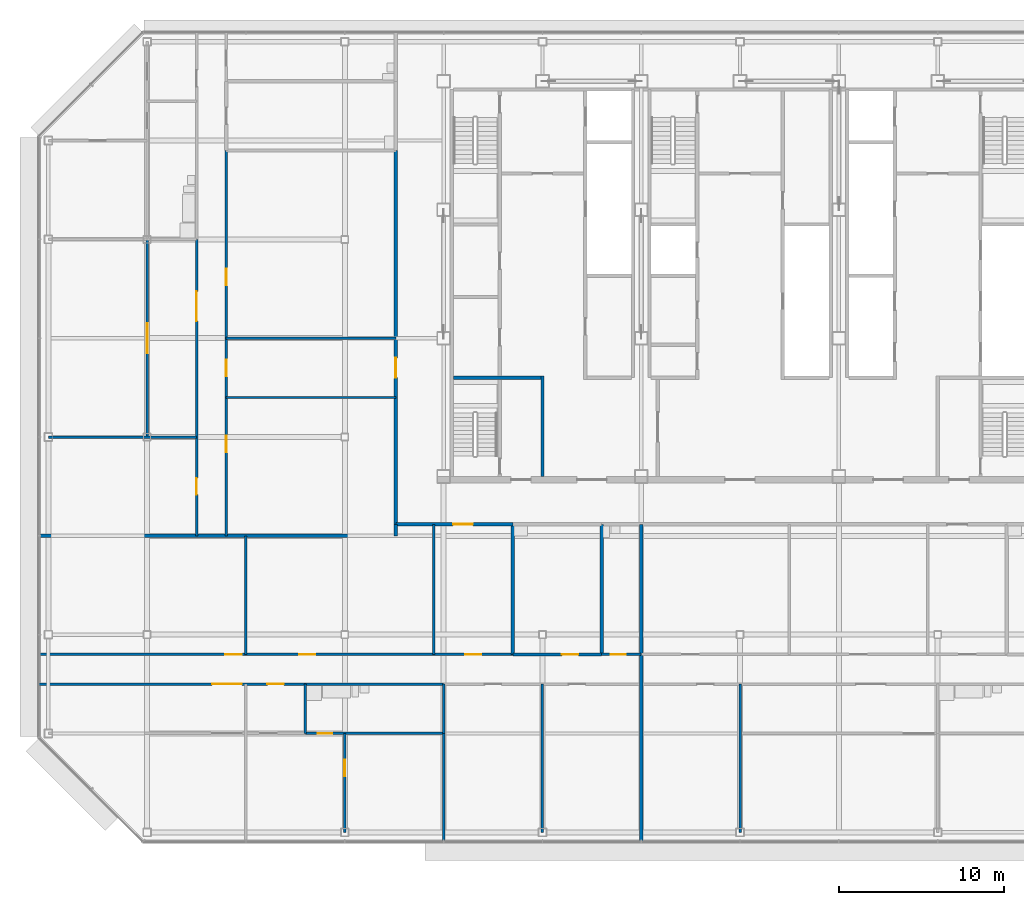
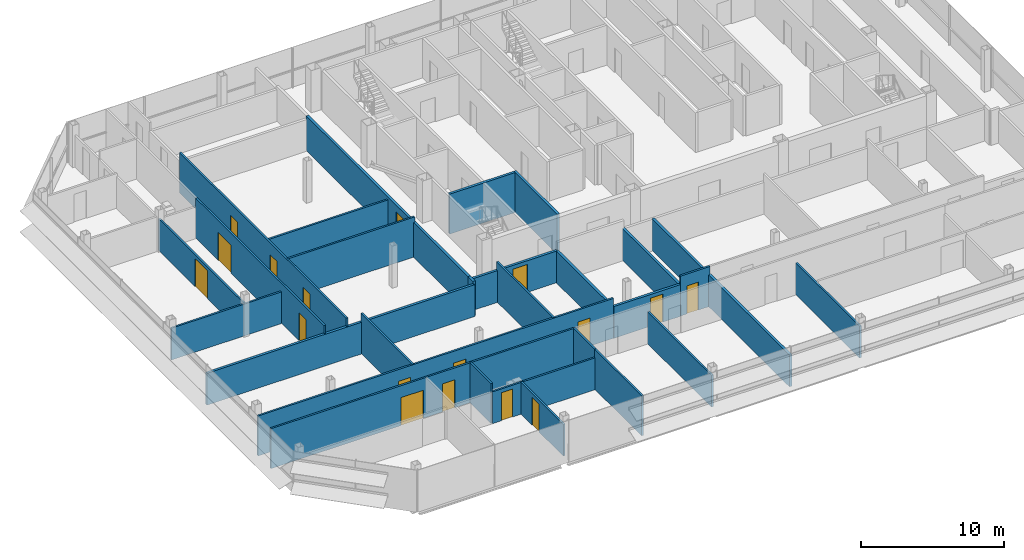
# One storey, part 21 of 27: 29 walls, 17 doors, 17 openings.
"""IFC4 building model written with IfcOpenShell, lengths in metres."""

from ifc_helpers import new_model, si_unit, direction, frame, frame_2d, origin, place, context, subcontext, project, spatial, rectangle, extrude, material, layer, layer_set, type_object, element, fill, save


model = new_model("IFC4")

# Units and contexts
model_context = context("Model", 3, precision=1e-05, world=origin(), true_north=direction((0.0, 1.0)))
body_context = subcontext(model_context, "Body", "Model", "MODEL_VIEW")
ifc_project = project(units=[si_unit("LENGTHUNIT", "METRE"), si_unit("AREAUNIT", "SQUARE_METRE"), si_unit("VOLUMEUNIT", "CUBIC_METRE"), si_unit("PLANEANGLEUNIT", "RADIAN"), si_unit("MASSUNIT", "GRAM", prefix="KILO")], contexts=[model_context])

# Site, building, storey
site_placement = place(None, origin())
site = spatial("IfcSite", under=ifc_project, at=site_placement, CompositionType="ELEMENT")
building_placement = place(site_placement, origin())
building = spatial("IfcBuilding", under=site, at=building_placement, Name="Sorahane Residences", CompositionType="ELEMENT")
storey_placement = place(building_placement, frame((0.0, 0.0, 316.0)))
storey = spatial("IfcBuildingStorey", under=building, at=storey_placement, Name="L75", CompositionType="ELEMENT", Elevation=316.0)

# Wall, opening, door
ifc_material_1 = material(Name="Concrete blockwork C20 wall", Category="masonry")
ifc_layer_1 = layer(ifc_material_1, 0.199951171875)
ifc_layer_set_1 = layer_set([ifc_layer_1], Name="Corridor wall 200 EI 120")
wall_type_1 = type_object("IfcWallType", Name="Corridor wall 200 EI 120", PredefinedType="SOLIDWALL", material=ifc_layer_set_1)
wall_1_placement = place(storey_placement, frame((3.10009765625, 18.699951171875, 0.0), z_axis=(0.0, 0.0, 1.0), x_axis=(0.0, 1.0, 0.0)))
wall_1 = element("IfcWall", 1, at=wall_1_placement, inside=storey, type_object=wall_type_1, Name="L75 corridor wall", PredefinedType="SOLIDWALL", context=body_context, shape_type="SweptSolid", body=[
    extrude(rectangle(XDim=22.699951171875, YDim=0.199951171875, at=frame_2d((11.35009765625, 0.0))), origin(), (0.0, 0.0, 1.0), 2.969970703125),
])
opening_1_placement = place(wall_1_placement, frame((8.89990234375, 0.0, 0.0)))
opening_1 = element("IfcOpeningElement", 2, at=opening_1_placement, cuts=wall_1, Name="Opening L75-40", PredefinedType="OPENING", context=body_context, shape_type="SweptSolid", body=[
    extrude(rectangle(XDim=1.199951171875, YDim=2.39990234375, at=frame_2d((0.60009765625, 1.199951171875))), frame((0.0, 0.10986328125, 0.0), z_axis=(0.0, -1.0, 0.0), x_axis=(1.0, 0.0, 0.0)), (0.0, 0.0, 1.0), 0.219970703125),
])
ifc_material_2 = material(Name="Timber veneered fire door", Category="wood")
door_type_1 = type_object("IfcDoorType", Name="Flat entrance door 1200x2400 FD60", OperationType="NOTDEFINED", PredefinedType="DOOR", material=ifc_material_2)
door_1_placement = place(opening_1_placement, origin())
door_1 = element("IfcDoor", 3, at=door_1_placement, inside=storey, type_object=door_type_1, Name="Flat entrance door L75-40", OperationType="SINGLE_SWING_RIGHT", OverallHeight=2.39990234375, OverallWidth=1.199951171875, PredefinedType="DOOR", context=body_context, shape_type="SweptSolid", body=[
    extrude(rectangle(XDim=1.199951171875, YDim=2.39990234375, at=frame_2d((0.60009765625, 1.199951171875))), frame((0.0, 0.02490234375, 0.0), z_axis=(0.0, -1.0, 0.0), x_axis=(1.0, 0.0, 0.0)), (0.0, 0.0, 1.0), 0.050048828125),
])
fill(opening_1, door_1)

wall_2_placement = place(storey_placement, frame((3.10009765625, 18.699951171875, 0.0), z_axis=(0.0, 0.0, 1.0), x_axis=(1.0, 0.0, 0.0)))
wall_2 = element("IfcWall", 4, at=wall_2_placement, inside=storey, type_object=wall_type_1, Name="L75 corridor wall", PredefinedType="SOLIDWALL", context=body_context, shape_type="SweptSolid", body=[
    extrude(rectangle(XDim=7.099853515625, YDim=0.199951171875, at=frame_2d((3.5498046875, 0.0))), origin(), (0.0, 0.0, 1.0), 2.719970703125),
])
opening_2_placement = place(wall_2_placement, frame((3.47998046875, 0.0, 0.0)))
opening_2 = element("IfcOpeningElement", 5, at=opening_2_placement, cuts=wall_2, Name="Opening L75-38", PredefinedType="OPENING", context=body_context, shape_type="SweptSolid", body=[
    extrude(rectangle(XDim=1.199951171875, YDim=2.39990234375, at=frame_2d((0.60009765625, 1.199951171875))), frame((0.0, 0.10986328125, 0.0), z_axis=(0.0, -1.0, 0.0), x_axis=(1.0, 0.0, 0.0)), (0.0, 0.0, 1.0), 0.219970703125),
])
door_2_placement = place(opening_2_placement, frame((1.199951171875, 0.0, 0.0), z_axis=(0.0, 0.0, 1.0), x_axis=(-1.0, 0.0, 0.0)))
door_2 = element("IfcDoor", 6, at=door_2_placement, inside=storey, type_object=door_type_1, Name="Flat entrance door L75-38", OperationType="SINGLE_SWING_RIGHT", OverallHeight=2.39990234375, OverallWidth=1.199951171875, PredefinedType="DOOR", context=body_context, shape_type="SweptSolid", body=[
    extrude(rectangle(XDim=1.199951171875, YDim=2.39990234375, at=frame_2d((0.60009765625, 1.199951171875))), frame((0.0, 0.02490234375, 0.0), z_axis=(0.0, -1.0, 0.0), x_axis=(1.0, 0.0, 0.0)), (0.0, 0.0, 1.0), 0.050048828125),
])
fill(opening_2, door_2)

# Walls
ifc_material_3 = material(Name="Concrete C30", Category="concrete")
ifc_layer_2 = layer(ifc_material_3, 0.199951171875)
ifc_layer_set_2 = layer_set([ifc_layer_2], Name="Front room wall 200 EI 120")
wall_type_2 = type_object("IfcWallType", Name="Front room wall 200 EI 120", PredefinedType="PARTITIONING", material=ifc_layer_set_2)
wall_3_placement = place(storey_placement, frame((12.0, 21.60009765625, 0.0), z_axis=(0.0, 0.0, 1.0), x_axis=(0.0, 1.0, 0.0)))
element("IfcWall", 7, at=wall_3_placement, inside=storey, type_object=wall_type_2, Name="L75 front room wall", PredefinedType="PARTITIONING", context=body_context, shape_type="SweptSolid", body=[
    extrude(rectangle(XDim=6.099853515625, YDim=0.199951171875, at=frame_2d((3.0498046875, 0.0))), origin(), (0.0, 0.0, 1.0), 3.419921875),
])
ifc_material_4 = material(Name="Concrete blockwork C20 wall", Category="masonry")
ifc_layer_3 = layer(ifc_material_4, 0.199951171875)
ifc_layer_set_3 = layer_set([ifc_layer_3], Name="Kitchen wall 200 EI 180")
wall_type_3 = type_object("IfcWallType", Name="Kitchen wall 200 EI 180", PredefinedType="SOLIDWALL", material=ifc_layer_set_3)
for number, where, z_axis, x_axis, name in (
    (8, (10.199951171875, 10.800048828125, 0.0), (0.0, 0.0, 1.0), (0.0, 1.0, 0.0), "L75 kitchen wall"),
    (9, (15.60009765625, 10.800048828125, 0.0), (0.0, 0.0, 1.0), (0.0, 1.0, 0.0), "L75 kitchen wall"),
):
    element("IfcWall", number, at=place(storey_placement, frame(where, z_axis=z_axis, x_axis=x_axis)), inside=storey, type_object=wall_type_3, Name=name, PredefinedType="SOLIDWALL", context=body_context, shape_type="SweptSolid", body=[
        extrude(rectangle(XDim=7.89990234375, YDim=0.199951171875, at=frame_2d((3.949951171875, 0.0))), origin(), (0.0, 0.0, 1.0), 2.719970703125),
    ])

# Wall, opening, door
wall_4_placement = place(storey_placement, frame((10.199951171875, 10.800048828125, 0.0), z_axis=(0.0, 0.0, 1.0), x_axis=(1.0, 0.0, 0.0)))
wall_4 = element("IfcWall", 10, at=wall_4_placement, inside=storey, type_object=wall_type_3, Name="L75 kitchen wall", PredefinedType="SOLIDWALL", context=body_context, shape_type="SweptSolid", body=[
    extrude(rectangle(XDim=5.400146484375, YDim=0.199951171875, at=frame_2d((2.7001953125, 0.0))), origin(), (0.0, 0.0, 1.0), 2.719970703125),
])
opening_3_placement = place(wall_4_placement, frame((2.97998046875, 0.0, 0.0)))
opening_3 = element("IfcOpeningElement", 11, at=opening_3_placement, cuts=wall_4, Name="Opening L75-04", PredefinedType="OPENING", context=body_context, shape_type="SweptSolid", body=[
    extrude(rectangle(XDim=1.0, YDim=2.39990234375, at=frame_2d((0.5, 1.199951171875))), frame((0.0, 0.10986328125, 0.0), z_axis=(0.0, -1.0, 0.0), x_axis=(1.0, 0.0, 0.0)), (0.0, 0.0, 1.0), 0.219970703125),
])
ifc_material_5 = material(Name="Steel", Category="steel")
door_type_2 = type_object("IfcDoorType", Name="Kitchen door 1000x2400 FD120", OperationType="NOTDEFINED", PredefinedType="DOOR", material=ifc_material_5)
door_3_placement = place(opening_3_placement, origin())
door_3 = element("IfcDoor", 12, at=door_3_placement, inside=storey, type_object=door_type_2, Name="Kitchen door L75-04", OperationType="SINGLE_SWING_RIGHT", OverallHeight=2.39990234375, OverallWidth=1.0, PredefinedType="DOOR", context=body_context, shape_type="SweptSolid", body=[
    extrude(rectangle(XDim=1.0, YDim=2.39990234375, at=frame_2d((0.5, 1.199951171875))), frame((0.0, 0.02490234375, 0.0), z_axis=(0.0, -1.0, 0.0), x_axis=(1.0, 0.0, 0.0)), (0.0, 0.0, 1.0), 0.050048828125),
])
fill(opening_3, door_3)

ifc_material_6 = material(Name="Gypsum board partition on steel studs", Category="steel")
ifc_layer_4 = layer(ifc_material_6, 0.14990234375)
ifc_layer_set_4 = layer_set([ifc_layer_4], Name="Partition 150 EI 90")
wall_type_4 = type_object("IfcWallType", Name="Partition 150 EI 90", PredefinedType="PARTITIONING", material=ifc_layer_set_4)
wall_5_placement = place(storey_placement, frame((-12.0, 24.0, 0.0), z_axis=(0.0, 0.0, 1.0), x_axis=(0.0, 1.0, 0.0)))
wall_5 = element("IfcWall", 13, at=wall_5_placement, inside=storey, type_object=wall_type_4, Name="L75 partition", PredefinedType="PARTITIONING", context=body_context, shape_type="SweptSolid", body=[
    extrude(rectangle(XDim=12.0, YDim=0.14990234375, at=frame_2d((6.0, 0.0))), origin(), (0.0, 0.0, 1.0), 2.719970703125),
])
opening_4_placement = place(wall_5_placement, frame((5.10009765625, 0.0, 0.0)))
opening_4 = element("IfcOpeningElement", 14, at=opening_4_placement, cuts=wall_5, Name="Opening L75-34", PredefinedType="OPENING", context=body_context, shape_type="SweptSolid", body=[
    extrude(rectangle(XDim=1.800048828125, YDim=2.39990234375, at=frame_2d((0.89990234375, 1.199951171875))), frame((0.0, 0.0849609375, 0.0), z_axis=(0.0, -1.0, 0.0), x_axis=(1.0, 0.0, 0.0)), (0.0, 0.0, 1.0), 0.169921875),
])
ifc_material_7 = material(Name="Timber veneered fire door", Category="wood")
door_type_3 = type_object("IfcDoorType", Name="Double door 1800x2400 FD30", OperationType="NOTDEFINED", PredefinedType="DOOR", material=ifc_material_7)
door_4_placement = place(opening_4_placement, origin())
door_4 = element("IfcDoor", 15, at=door_4_placement, inside=storey, type_object=door_type_3, Name="Double door L75-34", OperationType="SINGLE_SWING_RIGHT", OverallHeight=2.39990234375, OverallWidth=1.800048828125, PredefinedType="DOOR", context=body_context, shape_type="SweptSolid", body=[
    extrude(rectangle(XDim=1.800048828125, YDim=2.39990234375, at=frame_2d((0.89990234375, 1.199951171875))), frame((0.0, 0.02490234375, 0.0), z_axis=(0.0, -1.0, 0.0), x_axis=(1.0, 0.0, 0.0)), (0.0, 0.0, 1.0), 0.050048828125),
])
fill(opening_4, door_4)

# Wall
wall_6_placement = place(storey_placement, frame((-6.0, 10.800048828125, 0.0), z_axis=(0.0, 0.0, 1.0), x_axis=(0.0, 1.0, 0.0)))
element("IfcWall", 16, at=wall_6_placement, inside=storey, type_object=wall_type_4, Name="L75 partition", PredefinedType="PARTITIONING", context=body_context, shape_type="SweptSolid", body=[
    extrude(rectangle(XDim=7.199951171875, YDim=0.14990234375, at=frame_2d((3.60009765625, 0.0))), origin(), (0.0, 0.0, 1.0), 3.419921875),
])

# Wall, openings, doors
wall_7_placement = place(storey_placement, frame((-7.199951171875, 18.0, 0.0), z_axis=(0.0, 0.0, 1.0), x_axis=(0.0, 1.0, 0.0)))
wall_7 = element("IfcWall", 17, at=wall_7_placement, inside=storey, type_object=wall_type_4, Name="L75 partition", PredefinedType="PARTITIONING", context=body_context, shape_type="SweptSolid", body=[
    extrude(rectangle(XDim=23.39990234375, YDim=0.14990234375, at=frame_2d((11.699951171875, 0.0))), origin(), (0.0, 0.0, 1.0), 3.419921875),
])
opening_5_placement = place(wall_7_placement, frame((9.699951171875, 0.0, 0.0)))
opening_5 = element("IfcOpeningElement", 18, at=opening_5_placement, cuts=wall_7, Name="Opening L75-26", PredefinedType="OPENING", context=body_context, shape_type="SweptSolid", body=[
    extrude(rectangle(XDim=1.0, YDim=2.39990234375, at=frame_2d((0.5, 1.199951171875))), frame((0.0, 0.0849609375, 0.0), z_axis=(0.0, -1.0, 0.0), x_axis=(1.0, 0.0, 0.0)), (0.0, 0.0, 1.0), 0.169921875),
])
opening_6_placement = place(wall_7_placement, frame((5.080078125, 0.0, 0.0)))
opening_6 = element("IfcOpeningElement", 19, at=opening_6_placement, cuts=wall_7, Name="Opening L75-27", PredefinedType="OPENING", context=body_context, shape_type="SweptSolid", body=[
    extrude(rectangle(XDim=1.0, YDim=2.39990234375, at=frame_2d((0.5, 1.199951171875))), frame((0.0, 0.0849609375, 0.0), z_axis=(0.0, -1.0, 0.0), x_axis=(1.0, 0.0, 0.0)), (0.0, 0.0, 1.0), 0.169921875),
])
opening_7_placement = place(wall_7_placement, frame((15.219970703125, 0.0, 0.0)))
opening_7 = element("IfcOpeningElement", 20, at=opening_7_placement, cuts=wall_7, Name="Opening L75-28", PredefinedType="OPENING", context=body_context, shape_type="SweptSolid", body=[
    extrude(rectangle(XDim=1.0, YDim=2.39990234375, at=frame_2d((0.5, 1.199951171875))), frame((0.0, 0.0849609375, 0.0), z_axis=(0.0, -1.0, 0.0), x_axis=(1.0, 0.0, 0.0)), (0.0, 0.0, 1.0), 0.169921875),
])
ifc_material_8 = material(Name="Timber veneered fire door", Category="wood")
door_type_4 = type_object("IfcDoorType", Name="Room door 1000x2400 FD30", OperationType="NOTDEFINED", PredefinedType="DOOR", material=ifc_material_8)
door_5_placement = place(opening_5_placement, origin())
door_5 = element("IfcDoor", 21, at=door_5_placement, inside=storey, type_object=door_type_4, Name="Room door L75-26", OperationType="SINGLE_SWING_RIGHT", OverallHeight=2.39990234375, OverallWidth=1.0, PredefinedType="DOOR", context=body_context, shape_type="SweptSolid", body=[
    extrude(rectangle(XDim=1.0, YDim=2.39990234375, at=frame_2d((0.5, 1.199951171875))), frame((0.0, 0.02490234375, 0.0), z_axis=(0.0, -1.0, 0.0), x_axis=(1.0, 0.0, 0.0)), (0.0, 0.0, 1.0), 0.050048828125),
])
fill(opening_5, door_5)
door_6_placement = place(opening_6_placement, frame((1.0, 0.0, 0.0), z_axis=(0.0, 0.0, 1.0), x_axis=(-1.0, 0.0, 0.0)))
door_6 = element("IfcDoor", 22, at=door_6_placement, inside=storey, type_object=door_type_4, Name="Room door L75-27", OperationType="SINGLE_SWING_RIGHT", OverallHeight=2.39990234375, OverallWidth=1.0, PredefinedType="DOOR", context=body_context, shape_type="SweptSolid", body=[
    extrude(rectangle(XDim=1.0, YDim=2.39990234375, at=frame_2d((0.5, 1.199951171875))), frame((0.0, 0.02490234375, 0.0), z_axis=(0.0, -1.0, 0.0), x_axis=(1.0, 0.0, 0.0)), (0.0, 0.0, 1.0), 0.050048828125),
])
fill(opening_6, door_6)
door_7_placement = place(opening_7_placement, frame((1.0, 0.0, 0.0), z_axis=(0.0, 0.0, 1.0), x_axis=(-1.0, 0.0, 0.0)))
door_7 = element("IfcDoor", 23, at=door_7_placement, inside=storey, type_object=door_type_4, Name="Room door L75-28", OperationType="SINGLE_SWING_LEFT", OverallHeight=2.39990234375, OverallWidth=1.0, PredefinedType="DOOR", context=body_context, shape_type="SweptSolid", body=[
    extrude(rectangle(XDim=1.0, YDim=2.39990234375, at=frame_2d((0.5, 1.199951171875))), frame((0.0, 0.02490234375, 0.0), z_axis=(0.0, -1.0, 0.0), x_axis=(1.0, 0.0, 0.0)), (0.0, 0.0, 1.0), 0.050048828125),
])
fill(opening_7, door_7)

wall_8_placement = place(storey_placement, frame((-9.0, 18.0, 0.0), z_axis=(0.0, 0.0, 1.0), x_axis=(0.0, 1.0, 0.0)))
wall_8 = element("IfcWall", 24, at=wall_8_placement, inside=storey, type_object=wall_type_4, Name="L75 partition", PredefinedType="PARTITIONING", context=body_context, shape_type="SweptSolid", body=[
    extrude(rectangle(XDim=18.0, YDim=0.14990234375, at=frame_2d((9.0, 0.0))), origin(), (0.0, 0.0, 1.0), 3.419921875),
])
opening_8_placement = place(wall_8_placement, frame((2.5, 0.0, 0.0)))
opening_8 = element("IfcOpeningElement", 25, at=opening_8_placement, cuts=wall_8, Name="Opening L75-31", PredefinedType="OPENING", context=body_context, shape_type="SweptSolid", body=[
    extrude(rectangle(XDim=1.0, YDim=2.39990234375, at=frame_2d((0.5, 1.199951171875))), frame((0.0, 0.0849609375, 0.0), z_axis=(0.0, -1.0, 0.0), x_axis=(1.0, 0.0, 0.0)), (0.0, 0.0, 1.0), 0.169921875),
])
opening_9_placement = place(wall_8_placement, frame((13.0400390625, 0.0, 0.0)))
opening_9 = element("IfcOpeningElement", 26, at=opening_9_placement, cuts=wall_8, Name="Opening L75-32", PredefinedType="OPENING", context=body_context, shape_type="SweptSolid", body=[
    extrude(rectangle(XDim=1.800048828125, YDim=2.39990234375, at=frame_2d((0.89990234375, 1.199951171875))), frame((0.0, 0.0849609375, 0.0), z_axis=(0.0, -1.0, 0.0), x_axis=(1.0, 0.0, 0.0)), (0.0, 0.0, 1.0), 0.169921875),
])
door_8_placement = place(opening_9_placement, origin())
door_8 = element("IfcDoor", 27, at=door_8_placement, inside=storey, type_object=door_type_3, Name="Double door L75-32", OperationType="SINGLE_SWING_RIGHT", OverallHeight=2.39990234375, OverallWidth=1.800048828125, PredefinedType="DOOR", context=body_context, shape_type="SweptSolid", body=[
    extrude(rectangle(XDim=1.800048828125, YDim=2.39990234375, at=frame_2d((0.89990234375, 1.199951171875))), frame((0.0, 0.02490234375, 0.0), z_axis=(0.0, -1.0, 0.0), x_axis=(1.0, 0.0, 0.0)), (0.0, 0.0, 1.0), 0.050048828125),
])
fill(opening_9, door_8)
door_9_placement = place(opening_8_placement, origin())
door_9 = element("IfcDoor", 28, at=door_9_placement, inside=storey, type_object=door_type_4, Name="Room door L75-31", OperationType="SINGLE_SWING_LEFT", OverallHeight=2.39990234375, OverallWidth=1.0, PredefinedType="DOOR", context=body_context, shape_type="SweptSolid", body=[
    extrude(rectangle(XDim=1.0, YDim=2.39990234375, at=frame_2d((0.5, 1.199951171875))), frame((0.0, 0.02490234375, 0.0), z_axis=(0.0, -1.0, 0.0), x_axis=(1.0, 0.0, 0.0)), (0.0, 0.0, 1.0), 0.050048828125),
])
fill(opening_8, door_9)

# Wall, opening, door
wall_9_placement = place(storey_placement, frame((0.0, 0.0, 0.0), z_axis=(0.0, 0.0, 1.0), x_axis=(0.0, 1.0, 0.0)))
wall_9 = element("IfcWall", 29, at=wall_9_placement, inside=storey, type_object=wall_type_4, Name="L75 partition", PredefinedType="PARTITIONING", context=body_context, shape_type="SweptSolid", body=[
    extrude(rectangle(XDim=6.0, YDim=0.14990234375, at=frame_2d((3.0, 0.0))), origin(), (0.0, 0.0, 1.0), 2.719970703125),
])
opening_10_placement = place(wall_9_placement, frame((3.39990234375, 0.0, 0.0)))
opening_10 = element("IfcOpeningElement", 30, at=opening_10_placement, cuts=wall_9, Name="Opening L75-12", PredefinedType="OPENING", context=body_context, shape_type="SweptSolid", body=[
    extrude(rectangle(XDim=1.0, YDim=2.39990234375, at=frame_2d((0.5, 1.199951171875))), frame((0.0, 0.0849609375, 0.0), z_axis=(0.0, -1.0, 0.0), x_axis=(1.0, 0.0, 0.0)), (0.0, 0.0, 1.0), 0.169921875),
])
door_10_placement = place(opening_10_placement, frame((1.0, 0.0, 0.0), z_axis=(0.0, 0.0, 1.0), x_axis=(-1.0, 0.0, 0.0)))
door_10 = element("IfcDoor", 31, at=door_10_placement, inside=storey, type_object=door_type_4, Name="Room door L75-12", OperationType="SINGLE_SWING_LEFT", OverallHeight=2.39990234375, OverallWidth=1.0, PredefinedType="DOOR", context=body_context, shape_type="SweptSolid", body=[
    extrude(rectangle(XDim=1.0, YDim=2.39990234375, at=frame_2d((0.5, 1.199951171875))), frame((0.0, 0.02490234375, 0.0), z_axis=(0.0, -1.0, 0.0), x_axis=(1.0, 0.0, 0.0)), (0.0, 0.0, 1.0), 0.050048828125),
])
fill(opening_10, door_10)

# Walls
for number, where, z_axis, x_axis, name in (
    (32, (12.0, 0.0, 0.0), (0.0, 0.0, 1.0), (0.0, 1.0, 0.0), "L75 partition"),
    (33, (24.0, 0.0, 0.0), (0.0, 0.0, 1.0), (0.0, 1.0, 0.0), "L75 partition"),
):
    element("IfcWall", number, at=place(storey_placement, frame(where, z_axis=z_axis, x_axis=x_axis)), inside=storey, type_object=wall_type_4, Name=name, PredefinedType="PARTITIONING", context=body_context, shape_type="SweptSolid", body=[
        extrude(rectangle(XDim=9.0, YDim=0.14990234375, at=frame_2d((4.5, 0.0))), origin(), (0.0, 0.0, 1.0), 2.719970703125),
    ])
wall_10_placement = place(storey_placement, frame((5.39990234375, 10.800048828125, 0.0), z_axis=(0.0, 0.0, 1.0), x_axis=(0.0, 1.0, 0.0)))
element("IfcWall", 34, at=wall_10_placement, inside=storey, type_object=wall_type_4, Name="L75 partition", PredefinedType="PARTITIONING", context=body_context, shape_type="SweptSolid", body=[
    extrude(rectangle(XDim=7.89990234375, YDim=0.14990234375, at=frame_2d((3.949951171875, 0.0))), origin(), (0.0, 0.0, 1.0), 3.419921875),
])
wall_11_placement = place(storey_placement, frame((6.0, -0.60009765625, 0.0), z_axis=(0.0, 0.0, 1.0), x_axis=(0.0, 1.0, 0.0)))
element("IfcWall", 35, at=wall_11_placement, inside=storey, type_object=wall_type_4, Name="L75 partition", PredefinedType="PARTITIONING", context=body_context, shape_type="SweptSolid", body=[
    extrude(rectangle(XDim=6.60009765625, YDim=0.14990234375, at=frame_2d((3.300048828125, 0.0))), origin(), (0.0, 0.0, 1.0), 3.419921875),
])

# Wall, openings, doors
wall_12_placement = place(storey_placement, frame((-18.60009765625, 10.800048828125, 0.0), z_axis=(0.0, 0.0, 1.0), x_axis=(1.0, 0.0, 0.0)))
wall_12 = element("IfcWall", 36, at=wall_12_placement, inside=storey, type_object=wall_type_4, Name="L75 partition", PredefinedType="PARTITIONING", context=body_context, shape_type="SweptSolid", body=[
    extrude(rectangle(XDim=28.800048828125, YDim=0.14990234375, at=frame_2d((14.39990234375, 0.0))), origin(), (0.0, 0.0, 1.0), 3.419921875),
])
opening_11_placement = place(wall_12_placement, frame((25.89990234375, 0.0, 0.0)))
opening_11 = element("IfcOpeningElement", 37, at=opening_11_placement, cuts=wall_12, Name="Opening L75-01", PredefinedType="OPENING", context=body_context, shape_type="SweptSolid", body=[
    extrude(rectangle(XDim=1.0, YDim=2.39990234375, at=frame_2d((0.5, 1.199951171875))), frame((0.0, 0.0849609375, 0.0), z_axis=(0.0, -1.0, 0.0), x_axis=(1.0, 0.0, 0.0)), (0.0, 0.0, 1.0), 0.169921875),
])
opening_12_placement = place(wall_12_placement, frame((11.35009765625, 0.0, 0.0)))
opening_12 = element("IfcOpeningElement", 38, at=opening_12_placement, cuts=wall_12, Name="Opening L75-02", PredefinedType="OPENING", context=body_context, shape_type="SweptSolid", body=[
    extrude(rectangle(XDim=1.0, YDim=2.39990234375, at=frame_2d((0.5, 1.199951171875))), frame((0.0, 0.0849609375, 0.0), z_axis=(0.0, -1.0, 0.0), x_axis=(1.0, 0.0, 0.0)), (0.0, 0.0, 1.0), 0.169921875),
])
opening_13_placement = place(wall_12_placement, frame((15.820068359375, 0.0, 0.0)))
opening_13 = element("IfcOpeningElement", 39, at=opening_13_placement, cuts=wall_12, Name="Opening L75-03", PredefinedType="OPENING", context=body_context, shape_type="SweptSolid", body=[
    extrude(rectangle(XDim=1.0, YDim=2.39990234375, at=frame_2d((0.5, 1.199951171875))), frame((0.0, 0.0849609375, 0.0), z_axis=(0.0, -1.0, 0.0), x_axis=(1.0, 0.0, 0.0)), (0.0, 0.0, 1.0), 0.169921875),
])
door_11_placement = place(opening_11_placement, frame((1.0, 0.0, 0.0), z_axis=(0.0, 0.0, 1.0), x_axis=(-1.0, 0.0, 0.0)))
door_11 = element("IfcDoor", 40, at=door_11_placement, inside=storey, type_object=door_type_4, Name="Room door L75-01", OperationType="SINGLE_SWING_RIGHT", OverallHeight=2.39990234375, OverallWidth=1.0, PredefinedType="DOOR", context=body_context, shape_type="SweptSolid", body=[
    extrude(rectangle(XDim=1.0, YDim=2.39990234375, at=frame_2d((0.5, 1.199951171875))), frame((0.0, 0.02490234375, 0.0), z_axis=(0.0, -1.0, 0.0), x_axis=(1.0, 0.0, 0.0)), (0.0, 0.0, 1.0), 0.050048828125),
])
fill(opening_11, door_11)
door_12_placement = place(opening_12_placement, origin())
door_12 = element("IfcDoor", 41, at=door_12_placement, inside=storey, type_object=door_type_4, Name="Room door L75-02", OperationType="SINGLE_SWING_RIGHT", OverallHeight=2.39990234375, OverallWidth=1.0, PredefinedType="DOOR", context=body_context, shape_type="SweptSolid", body=[
    extrude(rectangle(XDim=1.0, YDim=2.39990234375, at=frame_2d((0.5, 1.199951171875))), frame((0.0, 0.02490234375, 0.0), z_axis=(0.0, -1.0, 0.0), x_axis=(1.0, 0.0, 0.0)), (0.0, 0.0, 1.0), 0.050048828125),
])
fill(opening_12, door_12)
door_13_placement = place(opening_13_placement, origin())
door_13 = element("IfcDoor", 42, at=door_13_placement, inside=storey, type_object=door_type_4, Name="Room door L75-03", OperationType="SINGLE_SWING_RIGHT", OverallHeight=2.39990234375, OverallWidth=1.0, PredefinedType="DOOR", context=body_context, shape_type="SweptSolid", body=[
    extrude(rectangle(XDim=1.0, YDim=2.39990234375, at=frame_2d((0.5, 1.199951171875))), frame((0.0, 0.02490234375, 0.0), z_axis=(0.0, -1.0, 0.0), x_axis=(1.0, 0.0, 0.0)), (0.0, 0.0, 1.0), 0.050048828125),
])
fill(opening_13, door_13)

# Walls
wall_13_placement = place(storey_placement, frame((-18.0, 24.0, 0.0), z_axis=(0.0, 0.0, 1.0), x_axis=(1.0, 0.0, 0.0)))
element("IfcWall", 43, at=wall_13_placement, inside=storey, type_object=wall_type_4, Name="L75 partition", PredefinedType="PARTITIONING", context=body_context, shape_type="SweptSolid", body=[
    extrude(rectangle(XDim=9.0, YDim=0.14990234375, at=frame_2d((4.5, 0.0))), origin(), (0.0, 0.0, 1.0), 2.719970703125),
])
wall_14_placement = place(storey_placement, frame((-7.199951171875, 26.39990234375, 0.0), z_axis=(0.0, 0.0, 1.0), x_axis=(1.0, 0.0, 0.0)))
element("IfcWall", 44, at=wall_14_placement, inside=storey, type_object=wall_type_4, Name="L75 partition", PredefinedType="PARTITIONING", context=body_context, shape_type="SweptSolid", body=[
    extrude(rectangle(XDim=10.300048828125, YDim=0.14990234375, at=frame_2d((5.14990234375, 0.0))), origin(), (0.0, 0.0, 1.0), 3.419921875),
])
wall_15_placement = place(storey_placement, frame((-7.199951171875, 30.0, 0.0), z_axis=(0.0, 0.0, 1.0), x_axis=(1.0, 0.0, 0.0)))
element("IfcWall", 45, at=wall_15_placement, inside=storey, type_object=wall_type_4, Name="L75 partition", PredefinedType="PARTITIONING", context=body_context, shape_type="SweptSolid", body=[
    extrude(rectangle(XDim=10.300048828125, YDim=0.14990234375, at=frame_2d((5.14990234375, 0.0))), origin(), (0.0, 0.0, 1.0), 2.719970703125),
])

# Wall, openings, doors
wall_16_placement = place(storey_placement, frame((-18.60009765625, 9.0, 0.0), z_axis=(0.0, 0.0, 1.0), x_axis=(1.0, 0.0, 0.0)))
wall_16 = element("IfcWall", 46, at=wall_16_placement, inside=storey, type_object=wall_type_4, Name="L75 partition", PredefinedType="PARTITIONING", context=body_context, shape_type="SweptSolid", body=[
    extrude(rectangle(XDim=16.2001953125, YDim=0.14990234375, at=frame_2d((8.10009765625, 0.0))), origin(), (0.0, 0.0, 1.0), 3.419921875),
])
opening_14_placement = place(wall_16_placement, frame((10.550048828125, 0.0, 0.0)))
opening_14 = element("IfcOpeningElement", 47, at=opening_14_placement, cuts=wall_16, Name="Opening L75-06", PredefinedType="OPENING", context=body_context, shape_type="SweptSolid", body=[
    extrude(rectangle(XDim=1.800048828125, YDim=2.39990234375, at=frame_2d((0.89990234375, 1.199951171875))), frame((0.0, 0.0849609375, 0.0), z_axis=(0.0, -1.0, 0.0), x_axis=(1.0, 0.0, 0.0)), (0.0, 0.0, 1.0), 0.169921875),
])
opening_15_placement = place(wall_16_placement, frame((13.89990234375, 0.0, 0.0)))
opening_15 = element("IfcOpeningElement", 48, at=opening_15_placement, cuts=wall_16, Name="Opening L75-07", PredefinedType="OPENING", context=body_context, shape_type="SweptSolid", body=[
    extrude(rectangle(XDim=1.0, YDim=2.39990234375, at=frame_2d((0.5, 1.199951171875))), frame((0.0, 0.0849609375, 0.0), z_axis=(0.0, -1.0, 0.0), x_axis=(1.0, 0.0, 0.0)), (0.0, 0.0, 1.0), 0.169921875),
])
door_14_placement = place(opening_14_placement, frame((1.800048828125, 0.0, 0.0), z_axis=(0.0, 0.0, 1.0), x_axis=(-1.0, 0.0, 0.0)))
door_14 = element("IfcDoor", 49, at=door_14_placement, inside=storey, type_object=door_type_3, Name="Double door L75-06", OperationType="SINGLE_SWING_RIGHT", OverallHeight=2.39990234375, OverallWidth=1.800048828125, PredefinedType="DOOR", context=body_context, shape_type="SweptSolid", body=[
    extrude(rectangle(XDim=1.800048828125, YDim=2.39990234375, at=frame_2d((0.89990234375, 1.199951171875))), frame((0.0, 0.02490234375, 0.0), z_axis=(0.0, -1.0, 0.0), x_axis=(1.0, 0.0, 0.0)), (0.0, 0.0, 1.0), 0.050048828125),
])
fill(opening_14, door_14)
door_15_placement = place(opening_15_placement, frame((1.0, 0.0, 0.0), z_axis=(0.0, 0.0, 1.0), x_axis=(-1.0, 0.0, 0.0)))
door_15 = element("IfcDoor", 50, at=door_15_placement, inside=storey, type_object=door_type_4, Name="Room door L75-07", OperationType="SINGLE_SWING_RIGHT", OverallHeight=2.39990234375, OverallWidth=1.0, PredefinedType="DOOR", context=body_context, shape_type="SweptSolid", body=[
    extrude(rectangle(XDim=1.0, YDim=2.39990234375, at=frame_2d((0.5, 1.199951171875))), frame((0.0, 0.02490234375, 0.0), z_axis=(0.0, -1.0, 0.0), x_axis=(1.0, 0.0, 0.0)), (0.0, 0.0, 1.0), 0.050048828125),
])
fill(opening_15, door_15)

# Walls
ifc_material_9 = material(Name="Concrete blockwork C20 wall", Category="masonry")
ifc_layer_5 = layer(ifc_material_9, 0.199951171875)
ifc_layer_set_5 = layer_set([ifc_layer_5], Name="Party wall 200 EI 120")
wall_type_5 = type_object("IfcWallType", Name="Party wall 200 EI 120", PredefinedType="SOLIDWALL", material=ifc_layer_set_5)
wall_17_placement = place(storey_placement, frame((18.0, -0.60009765625, 0.0), z_axis=(0.0, 0.0, 1.0), x_axis=(0.0, 1.0, 0.0)))
element("IfcWall", 51, at=wall_17_placement, inside=storey, type_object=wall_type_5, Name="L75 party wall", PredefinedType="SOLIDWALL", context=body_context, shape_type="SweptSolid", body=[
    extrude(rectangle(XDim=19.300048828125, YDim=0.199951171875, at=frame_2d((9.64990234375, 0.0))), origin(), (0.0, 0.0, 1.0), 2.719970703125),
])
wall_18_placement = place(storey_placement, frame((3.10009765625, 18.0, 0.0), z_axis=(0.0, 0.0, 1.0), x_axis=(0.0, 1.0, 0.0)))
element("IfcWall", 52, at=wall_18_placement, inside=storey, type_object=wall_type_5, Name="L75 party wall", PredefinedType="SOLIDWALL", context=body_context, shape_type="SweptSolid", body=[
    extrude(rectangle(XDim=0.699951171875, YDim=0.199951171875, at=frame_2d((0.35009765625, 0.0))), origin(), (0.0, 0.0, 1.0), 2.969970703125),
])
wall_19_placement = place(storey_placement, frame((-18.60009765625, 18.0, 0.0), z_axis=(0.0, 0.0, 1.0), x_axis=(1.0, 0.0, 0.0)))
element("IfcWall", 53, at=wall_19_placement, inside=storey, type_object=wall_type_5, Name="L75 party wall", PredefinedType="SOLIDWALL", context=body_context, shape_type="SweptSolid", body=[
    extrude(rectangle(XDim=21.7001953125, YDim=0.199951171875, at=frame_2d((10.85009765625, 0.0))), origin(), (0.0, 0.0, 1.0), 2.719970703125),
])
ifc_material_10 = material(Name="Concrete C30", Category="concrete")
ifc_layer_6 = layer(ifc_material_10, 0.199951171875)
ifc_layer_set_6 = layer_set([ifc_layer_6], Name="Stair enclosure wall 200 EI 120")
wall_type_6 = type_object("IfcWallType", Name="Stair enclosure wall 200 EI 120", PredefinedType="SOLIDWALL", material=ifc_layer_set_6)
wall_20_placement = place(storey_placement, frame((6.60009765625, 27.60009765625, 0.0), z_axis=(0.0, 0.0, 1.0), x_axis=(1.0, 0.0, 0.0)))
element("IfcWall", 54, at=wall_20_placement, inside=storey, type_object=wall_type_6, Name="L75 stair enclosure wall", PredefinedType="SOLIDWALL", context=body_context, shape_type="SweptSolid", body=[
    extrude(rectangle(XDim=5.2998046875, YDim=0.199951171875, at=frame_2d((2.64990234375, 0.0))), origin(), (0.0, 0.0, 1.0), 3.419921875),
])
ifc_material_11 = material(Name="Gypsum board partition on steel studs", Category="steel")
ifc_layer_7 = layer(ifc_material_11, 0.14990234375)
ifc_layer_set_7 = layer_set([ifc_layer_7], Name="Wet wall 150 EI 90")
wall_type_7 = type_object("IfcWallType", Name="Wet wall 150 EI 90", PredefinedType="PARTITIONING", material=ifc_layer_set_7)
for number, where, z_axis, x_axis, name in (
    (55, (-2.39990234375, 6.0, 0.0), (0.0, 0.0, 1.0), (0.0, 1.0, 0.0), "L75 wet wall"),
    (56, (6.0, 6.0, 0.0), (0.0, 0.0, 1.0), (0.0, 1.0, 0.0), "L75 wet wall"),
):
    element("IfcWall", number, at=place(storey_placement, frame(where, z_axis=z_axis, x_axis=x_axis)), inside=storey, type_object=wall_type_7, Name=name, PredefinedType="PARTITIONING", context=body_context, shape_type="SweptSolid", body=[
        extrude(rectangle(XDim=3.0, YDim=0.14990234375, at=frame_2d((1.5, 0.0))), origin(), (0.0, 0.0, 1.0), 3.419921875),
    ])

# Wall, opening, door
wall_21_placement = place(storey_placement, frame((15.60009765625, 10.800048828125, 0.0), z_axis=(0.0, 0.0, 1.0), x_axis=(1.0, 0.0, 0.0)))
wall_21 = element("IfcWall", 57, at=wall_21_placement, inside=storey, type_object=wall_type_7, Name="L75 wet wall", PredefinedType="PARTITIONING", context=body_context, shape_type="SweptSolid", body=[
    extrude(rectangle(XDim=2.39990234375, YDim=0.14990234375, at=frame_2d((1.199951171875, 0.0))), origin(), (0.0, 0.0, 1.0), 3.419921875),
])
opening_16_placement = place(wall_21_placement, frame((0.550048828125, 0.0, 0.0)))
opening_16 = element("IfcOpeningElement", 58, at=opening_16_placement, cuts=wall_21, Name="Opening L75-05", PredefinedType="OPENING", context=body_context, shape_type="SweptSolid", body=[
    extrude(rectangle(XDim=0.89990234375, YDim=2.39990234375, at=frame_2d((0.449951171875, 1.199951171875))), frame((0.0, 0.0849609375, 0.0), z_axis=(0.0, -1.0, 0.0), x_axis=(1.0, 0.0, 0.0)), (0.0, 0.0, 1.0), 0.169921875),
])
ifc_material_12 = material(Name="Timber veneered fire door", Category="wood")
door_type_5 = type_object("IfcDoorType", Name="Bathroom door 900x2400 FD30", OperationType="NOTDEFINED", PredefinedType="DOOR", material=ifc_material_12)
door_16_placement = place(opening_16_placement, frame((0.89990234375, 0.0, 0.0), z_axis=(0.0, 0.0, 1.0), x_axis=(-1.0, 0.0, 0.0)))
door_16 = element("IfcDoor", 59, at=door_16_placement, inside=storey, type_object=door_type_5, Name="Bathroom door L75-05", OperationType="SINGLE_SWING_RIGHT", OverallHeight=2.39990234375, OverallWidth=0.89990234375, PredefinedType="DOOR", context=body_context, shape_type="SweptSolid", body=[
    extrude(rectangle(XDim=0.89990234375, YDim=2.39990234375, at=frame_2d((0.449951171875, 1.199951171875))), frame((0.0, 0.02490234375, 0.0), z_axis=(0.0, -1.0, 0.0), x_axis=(1.0, 0.0, 0.0)), (0.0, 0.0, 1.0), 0.050048828125),
])
fill(opening_16, door_16)

wall_22_placement = place(storey_placement, frame((-2.39990234375, 6.0, 0.0), z_axis=(0.0, 0.0, 1.0), x_axis=(1.0, 0.0, 0.0)))
wall_22 = element("IfcWall", 60, at=wall_22_placement, inside=storey, type_object=wall_type_7, Name="L75 wet wall", PredefinedType="PARTITIONING", context=body_context, shape_type="SweptSolid", body=[
    extrude(rectangle(XDim=8.39990234375, YDim=0.14990234375, at=frame_2d((4.199951171875, 0.0))), origin(), (0.0, 0.0, 1.0), 2.719970703125),
])
opening_17_placement = place(wall_22_placement, frame((0.75, 0.0, 0.0)))
opening_17 = element("IfcOpeningElement", 61, at=opening_17_placement, cuts=wall_22, Name="Opening L75-13", PredefinedType="OPENING", context=body_context, shape_type="SweptSolid", body=[
    extrude(rectangle(XDim=0.89990234375, YDim=2.39990234375, at=frame_2d((0.449951171875, 1.199951171875))), frame((0.0, 0.0849609375, 0.0), z_axis=(0.0, -1.0, 0.0), x_axis=(1.0, 0.0, 0.0)), (0.0, 0.0, 1.0), 0.169921875),
])
door_17_placement = place(opening_17_placement, frame((0.89990234375, 0.0, 0.0), z_axis=(0.0, 0.0, 1.0), x_axis=(-1.0, 0.0, 0.0)))
door_17 = element("IfcDoor", 62, at=door_17_placement, inside=storey, type_object=door_type_5, Name="Bathroom door L75-13", OperationType="SINGLE_SWING_RIGHT", OverallHeight=2.39990234375, OverallWidth=0.89990234375, PredefinedType="DOOR", context=body_context, shape_type="SweptSolid", body=[
    extrude(rectangle(XDim=0.89990234375, YDim=2.39990234375, at=frame_2d((0.449951171875, 1.199951171875))), frame((0.0, 0.02490234375, 0.0), z_axis=(0.0, -1.0, 0.0), x_axis=(1.0, 0.0, 0.0)), (0.0, 0.0, 1.0), 0.050048828125),
])
fill(opening_17, door_17)

# Wall
wall_23_placement = place(storey_placement, frame((-2.39990234375, 9.0, 0.0), z_axis=(0.0, 0.0, 1.0), x_axis=(1.0, 0.0, 0.0)))
element("IfcWall", 63, at=wall_23_placement, inside=storey, type_object=wall_type_7, Name="L75 wet wall", PredefinedType="PARTITIONING", context=body_context, shape_type="SweptSolid", body=[
    extrude(rectangle(XDim=8.39990234375, YDim=0.14990234375, at=frame_2d((4.199951171875, 0.0))), origin(), (0.0, 0.0, 1.0), 3.419921875),
])

save(model, "model.ifc")
